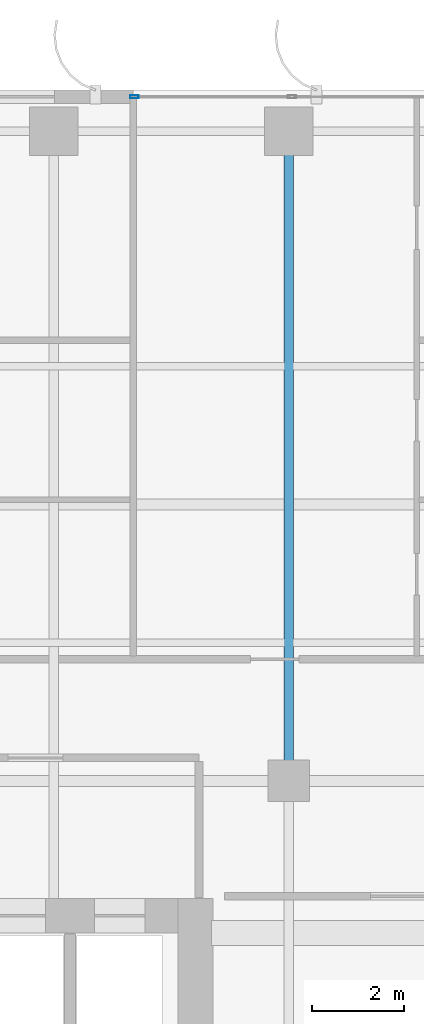
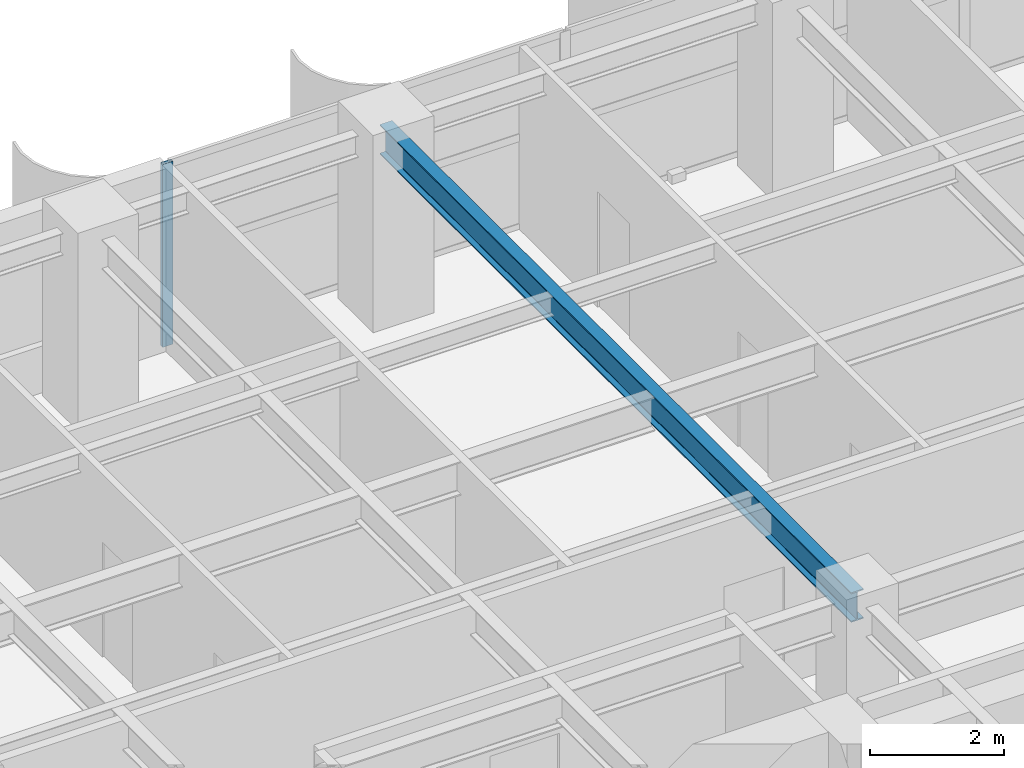
# One storey, part 10 of 21: 1 beam, 1 member, 1 element without a shape of its own.
"""IFC4 building model written with IfcOpenShell, lengths in metres."""

from ifc_helpers import new_model, si_unit, direction, frame, origin, origin_2d, place, context, subcontext, project, spatial, hollow_rectangle, i_section, extrude, source, transform, mapped, material, layer, layer_set, material_profile, profile_set, type_object, element, aggregate, save


model = new_model("IFC4")

# Units and contexts
model_context = context("Model", 3, precision=1e-05, world=origin(), true_north=direction((0.0, 1.0)))
body_context = subcontext(model_context, "Body", "Model", "MODEL_VIEW")
ifc_project = project(units=[si_unit("LENGTHUNIT", "METRE"), si_unit("AREAUNIT", "SQUARE_METRE"), si_unit("VOLUMEUNIT", "CUBIC_METRE"), si_unit("PLANEANGLEUNIT", "RADIAN"), si_unit("MASSUNIT", "GRAM", prefix="KILO")], contexts=[model_context])

# Site, building, storey
site_placement = place(None, origin())
site = spatial("IfcSite", under=ifc_project, at=site_placement, CompositionType="ELEMENT")
building_placement = place(site_placement, origin())
building = spatial("IfcBuilding", under=site, at=building_placement, Name="Khoralis Quay Care Tower", CompositionType="ELEMENT")
storey_placement = place(building_placement, frame((0.0, 0.0, 112.5)))
storey = spatial("IfcBuildingStorey", under=building, at=storey_placement, Name="L29", CompositionType="ELEMENT", Elevation=112.5)

# Beam
ifc_material_1 = material(Name="Steel S355", Category="steel")
ifc_material_profile_1 = material_profile(ifc_material_1, i_section(OverallWidth=0.2119140625, OverallDepth=0.5439453125, WebThickness=0.01318359375, FlangeThickness=0.021240234375, FilletRadius=0.01611328125, at=origin_2d()), Name="Steel S355")
ifc_profile_set_1 = profile_set([ifc_material_profile_1], Name="Steel S355")
beam_type = type_object("IfcBeamType", Name="BM-W530X123", PredefinedType="BEAM", material=ifc_profile_set_1)
shared_shape_1 = source(origin(), body_context, "Body", "SweptSolid", [
    extrude(i_section(OverallWidth=0.2119140625, OverallDepth=0.5439453125, WebThickness=0.01318359375, FlangeThickness=0.021240234375, FilletRadius=0.01611328125, at=origin_2d()), origin(), (0.0, 0.0, 1.0), 14.10009765625),
])
beam_placement = place(storey_placement, frame((17.10009765625, 30.0, 3.068115234375), z_axis=(0.0, 1.0, 0.0), x_axis=(-1.0, 0.0, 0.0)))
element("IfcBeam", 1, at=beam_placement, inside=storey, type_object=beam_type, Name="BM-TGYN-L29-171", PredefinedType="BEAM", context=body_context, shape_type="MappedRepresentation", body=[
    mapped(shared_shape_1, transform((0.0, 0.0, 0.0), scale=1.0)),
])

# Curtain wall, member
ifc_material_2 = material(Name="Pale anodised aluminium", Category="aluminium")
ifc_layer = layer(ifc_material_2, 0.169921875)
ifc_layer_set = layer_set([ifc_layer], Name="Pale anodised aluminium")
curtain_wall_type = type_object("IfcCurtainWallType", Name="CW-SYS-Z2", PredefinedType="NOTDEFINED", material=ifc_layer_set)
curtain_wall_placement = place(storey_placement, origin())
curtain_wall = element("IfcCurtainWall", 2, at=curtain_wall_placement, inside=storey, type_object=curtain_wall_type, Name="L29 Unitised Curtain Wall CW-L29-P1-E10", PredefinedType="NOTDEFINED")
ifc_material_profile_2 = material_profile(ifc_material_2, hollow_rectangle(XDim=0.06494140625, YDim=0.179931640625, WallThickness=0.00390625, at=origin_2d()), Name="Pale anodised aluminium")
ifc_profile_set_2 = profile_set([ifc_material_profile_2], Name="Pale anodised aluminium")
member_type = type_object("IfcMemberType", Name="CW-MUL-180", PredefinedType="MULLION", material=ifc_profile_set_2)
shared_shape_2 = source(origin(), body_context, "Body", "SweptSolid", [
    extrude(hollow_rectangle(XDim=0.06494140625, YDim=0.179931640625, WallThickness=0.00390625, at=origin_2d()), origin(), (0.0, 0.0, 1.0), 3.340087890625),
])
member_placement = place(storey_placement, frame((13.75, 44.85009765625, 0.0), z_axis=(0.0, 0.0, 1.0), x_axis=(0.0, -1.0, 0.0)))
member = element("IfcMember", 3, at=member_placement, type_object=member_type, Name="CW2 mullion 6", PredefinedType="MULLION", context=body_context, shape_type="MappedRepresentation", body=[
    mapped(shared_shape_2, transform((0.0, 0.0, 0.0), scale=1.0)),
])
aggregate(curtain_wall, [member])

save(model, "model.ifc")
